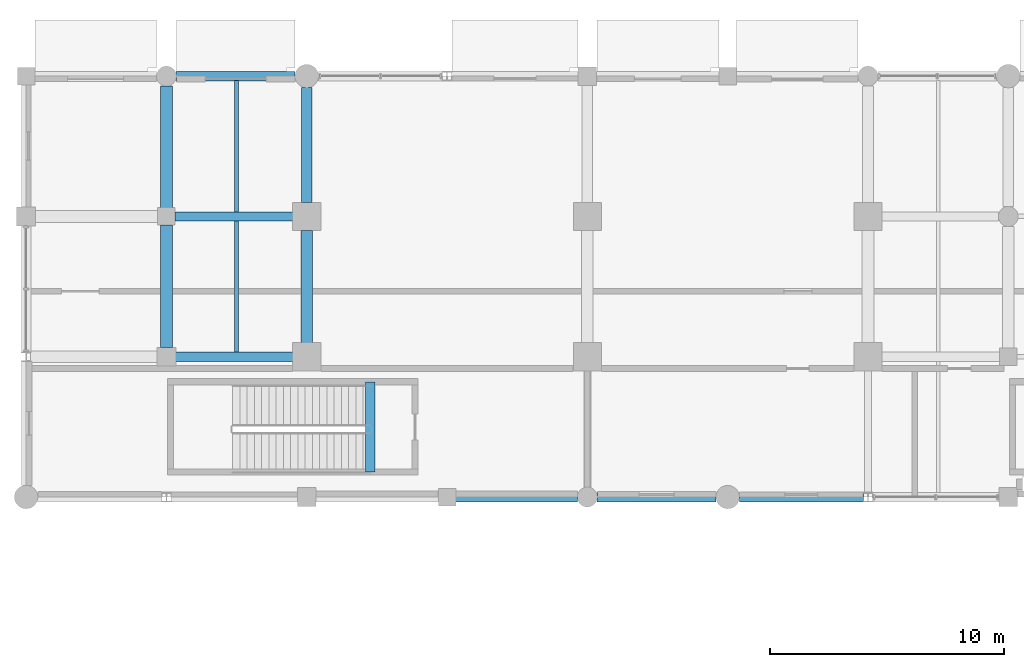
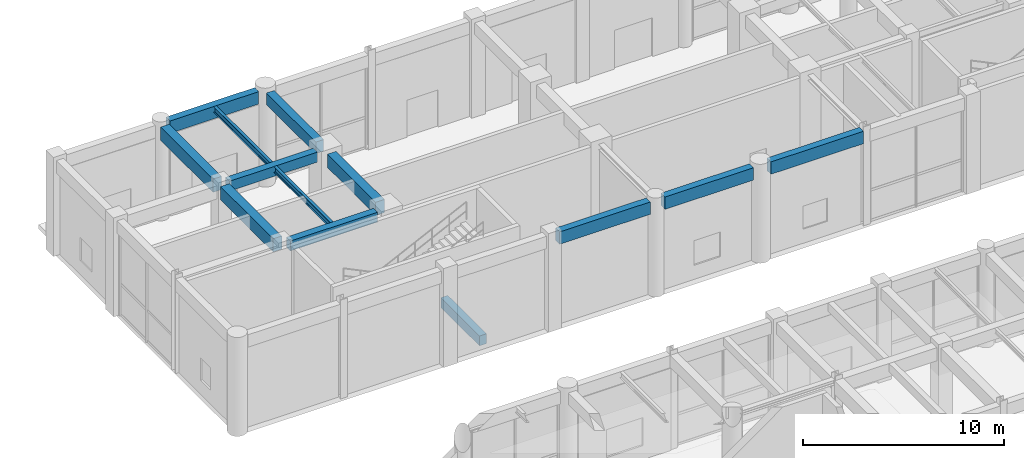
# One storey, part 42 of 106: 13 beams.
"""IFC4 building model written with IfcOpenShell, lengths in metres."""

from ifc_helpers import new_model, si_unit, direction, frame, origin, origin_2d, place, context, subcontext, project, spatial, rectangle, i_section, extrude, material, material_profile, profile_set, type_object, element, save


model = new_model("IFC4")

# Units and contexts
model_context = context("Model", 3, precision=1e-05, world=origin(), true_north=direction((0.0, 1.0)))
body_context = subcontext(model_context, "Body", "Model", "MODEL_VIEW")
ifc_project = project(units=[si_unit("LENGTHUNIT", "METRE"), si_unit("AREAUNIT", "SQUARE_METRE"), si_unit("VOLUMEUNIT", "CUBIC_METRE"), si_unit("PLANEANGLEUNIT", "RADIAN"), si_unit("MASSUNIT", "GRAM", prefix="KILO"), si_unit("THERMODYNAMICTEMPERATUREUNIT", "KELVIN"), si_unit("POWERUNIT", "WATT")], contexts=[model_context])

# Site, building, storey
site_placement = place(None, origin())
site = spatial("IfcSite", under=ifc_project, at=site_placement, CompositionType="ELEMENT")
building_placement = place(site_placement, origin())
building = spatial("IfcBuilding", under=site, at=building_placement, Name="Phaisarnlok Congress Hotel", CompositionType="ELEMENT")
storey_placement = place(building_placement, origin())
storey = spatial("IfcBuildingStorey", under=building, at=storey_placement, Name="L00", CompositionType="ELEMENT", Elevation=0.0)

# Beams
ifc_material_1 = material(Name="Concrete C40/50", Category="concrete")
ifc_material_profile_1 = material_profile(ifc_material_1, rectangle(XDim=0.39990234375, YDim=0.60009765625, at=origin_2d()), Name="RC 400x600")
ifc_profile_set_1 = profile_set([ifc_material_profile_1], Name="Concrete C40/50")
beam_type_1 = type_object("IfcBeamType", Name="BM-RC-400x600", PredefinedType="BEAM", material=ifc_profile_set_1)
beam_1_placement = place(storey_placement, frame((66.39501953125, 114.0, 5.43994140625), z_axis=(1.0, 0.0, 0.0), x_axis=(0.0, 1.0, 0.0)))
element("IfcBeam", 1, at=beam_1_placement, inside=storey, type_object=beam_type_1, Name="Beam B-02", PredefinedType="BEAM", context=body_context, shape_type="SweptSolid", body=[
    extrude(rectangle(XDim=0.39990234375, YDim=0.60009765625, at=origin_2d()), origin(), (0.0, 0.0, 1.0), 5.010009765625),
])
beam_2_placement = place(storey_placement, frame((66.3701171875, 120.0, 5.43994140625), z_axis=(1.0, 0.0, 0.0), x_axis=(0.0, 1.0, 0.0)))
element("IfcBeam", 2, at=beam_2_placement, inside=storey, type_object=beam_type_1, Name="Beam B-02", PredefinedType="BEAM", context=body_context, shape_type="SweptSolid", body=[
    extrude(rectangle(XDim=0.39990234375, YDim=0.60009765625, at=origin_2d()), origin(), (0.0, 0.0, 1.0), 5.034912109375),
])
beam_3_placement = place(storey_placement, frame((74.719970703125, 109.080078125, -0.300048828125), z_axis=(0.0, 1.0, 0.0), x_axis=(-1.0, 0.0, 0.0)))
element("IfcBeam", 3, at=beam_3_placement, inside=storey, type_object=beam_type_1, Name="Stair landing header beam B-02 (STAIR-HW L00)", PredefinedType="BEAM", context=body_context, shape_type="SweptSolid", body=[
    extrude(rectangle(XDim=0.39990234375, YDim=0.60009765625, at=origin_2d()), origin(), (0.0, 0.0, 1.0), 3.83984375),
])
ifc_material_profile_2 = material_profile(ifc_material_1, rectangle(XDim=0.449951171875, YDim=0.699951171875, at=origin_2d()), Name="RC 450x700")
ifc_profile_set_2 = profile_set([ifc_material_profile_2], Name="Concrete C40/50")
beam_type_2 = type_object("IfcBeamType", Name="BM-RC-450x700", PredefinedType="BEAM", material=ifc_profile_set_2)
beam_4_placement = place(storey_placement, frame((72.0, 120.594970703125, 5.389892578125), z_axis=(0.0, 1.0, 0.0), x_axis=(-1.0, 0.0, 0.0)))
element("IfcBeam", 4, at=beam_4_placement, inside=storey, type_object=beam_type_2, Name="Beam B-03", PredefinedType="BEAM", context=body_context, shape_type="SweptSolid", body=[
    extrude(rectangle(XDim=0.449951171875, YDim=0.699951171875, at=origin_2d()), origin(), (0.0, 0.0, 1.0), 4.909912109375),
])
ifc_material_profile_3 = material_profile(ifc_material_1, rectangle(XDim=0.5, YDim=0.800048828125, at=origin_2d()), Name="RC 500x800")
ifc_profile_set_3 = profile_set([ifc_material_profile_3], Name="Concrete C40/50")
beam_type_3 = type_object("IfcBeamType", Name="BM-RC-500x800", PredefinedType="BEAM", material=ifc_profile_set_3)
beam_5_placement = place(storey_placement, frame((66.0, 114.39501953125, 5.340087890625), z_axis=(0.0, 1.0, 0.0), x_axis=(-1.0, 0.0, 0.0)))
element("IfcBeam", 5, at=beam_5_placement, inside=storey, type_object=beam_type_3, Name="Beam B-04", PredefinedType="BEAM", context=body_context, shape_type="SweptSolid", body=[
    extrude(rectangle(XDim=0.5, YDim=0.800048828125, at=origin_2d()), origin(), (0.0, 0.0, 1.0), 5.23486328125),
])
beam_6_placement = place(storey_placement, frame((66.0, 120.3701171875, 5.340087890625), z_axis=(0.0, 1.0, 0.0), x_axis=(-1.0, 0.0, 0.0)))
element("IfcBeam", 6, at=beam_6_placement, inside=storey, type_object=beam_type_3, Name="Beam B-04", PredefinedType="BEAM", context=body_context, shape_type="SweptSolid", body=[
    extrude(rectangle(XDim=0.5, YDim=0.800048828125, at=origin_2d()), origin(), (0.0, 0.0, 1.0), 5.2099609375),
])
beam_7_placement = place(storey_placement, frame((72.0, 114.594970703125, 5.340087890625), z_axis=(0.0, 1.0, 0.0), x_axis=(-1.0, 0.0, 0.0)))
element("IfcBeam", 7, at=beam_7_placement, inside=storey, type_object=beam_type_3, Name="Beam B-04", PredefinedType="BEAM", context=body_context, shape_type="SweptSolid", body=[
    extrude(rectangle(XDim=0.5, YDim=0.800048828125, at=origin_2d()), origin(), (0.0, 0.0, 1.0), 4.81005859375),
])
ifc_material_2 = material(Name="Steel S355", Category="steel")
ifc_material_profile_4 = material_profile(ifc_material_2, i_section(OverallWidth=0.169921875, OverallDepth=0.360107421875, WebThickness=0.008056640625, FlangeThickness=0.0126953125, FilletRadius=0.01806640625, at=origin_2d()), Name="IPE 360")
ifc_profile_set_4 = profile_set([ifc_material_profile_4], Name="Steel S355")
beam_type_4 = type_object("IfcBeamType", Name="JS-STL-IPE360", PredefinedType="JOIST", material=ifc_profile_set_4)
for number, where, z_axis, x_axis, name in (
    (8, (69.0, 114.195068359375, 5.56005859375), (0.0, 1.0, 0.0), (-1.0, 0.0, 0.0), "Secondary floor joist J-04"),
    (9, (69.0, 120.195068359375, 5.56005859375), (0.0, 1.0, 0.0), (-1.0, 0.0, 0.0), "Secondary floor joist J-04"),
):
    element("IfcBeam", number, at=place(storey_placement, frame(where, z_axis=z_axis, x_axis=x_axis)), inside=storey, type_object=beam_type_4, Name=name, PredefinedType="JOIST", context=body_context, shape_type="SweptSolid", body=[
        extrude(i_section(OverallWidth=0.169921875, OverallDepth=0.360107421875, WebThickness=0.008056640625, FlangeThickness=0.0126953125, FilletRadius=0.01806640625, at=origin_2d()), origin(), (0.0, 0.0, 1.0), 5.60986328125),
    ])
ifc_material_profile_5 = material_profile(ifc_material_1, rectangle(XDim=0.39990234375, YDim=0.75, at=origin_2d()), Name="RC 400x750")
ifc_profile_set_5 = profile_set([ifc_material_profile_5], Name="Concrete C40/50")
beam_type_5 = type_object("IfcBeamType", Name="SP-RC-400x750", PredefinedType="SPANDREL", material=ifc_profile_set_5)
beam_8_placement = place(storey_placement, frame((66.419921875, 126.0, 5.364990234375), z_axis=(1.0, 0.0, 0.0), x_axis=(0.0, 1.0, 0.0)))
element("IfcBeam", 10, at=beam_8_placement, inside=storey, type_object=beam_type_5, Name="Beam SP-02", PredefinedType="SPANDREL", context=body_context, shape_type="SweptSolid", body=[
    extrude(rectangle(XDim=0.39990234375, YDim=0.75, at=origin_2d()), origin(), (0.0, 0.0, 1.0), 5.0849609375),
])
beam_9_placement = place(storey_placement, frame((78.3701171875, 108.0, 5.364990234375), z_axis=(1.0, 0.0, 0.0), x_axis=(0.0, 1.0, 0.0)))
element("IfcBeam", 11, at=beam_9_placement, inside=storey, type_object=beam_type_5, Name="Beam SP-02", PredefinedType="SPANDREL", context=body_context, shape_type="SweptSolid", body=[
    extrude(rectangle(XDim=0.39990234375, YDim=0.75, at=origin_2d()), origin(), (0.0, 0.0, 1.0), 5.2099609375),
])
beam_10_placement = place(storey_placement, frame((84.419921875, 108.0, 5.364990234375), z_axis=(1.0, 0.0, 0.0), x_axis=(0.0, 1.0, 0.0)))
element("IfcBeam", 12, at=beam_10_placement, inside=storey, type_object=beam_type_5, Name="Beam SP-02", PredefinedType="SPANDREL", context=body_context, shape_type="SweptSolid", body=[
    extrude(rectangle(XDim=0.39990234375, YDim=0.75, at=origin_2d()), origin(), (0.0, 0.0, 1.0), 5.0849609375),
])
beam_11_placement = place(storey_placement, frame((90.4951171875, 108.0, 5.364990234375), z_axis=(1.0, 0.0, 0.0), x_axis=(0.0, 1.0, 0.0)))
element("IfcBeam", 13, at=beam_11_placement, inside=storey, type_object=beam_type_5, Name="Beam SP-02", PredefinedType="SPANDREL", context=body_context, shape_type="SweptSolid", body=[
    extrude(rectangle(XDim=0.39990234375, YDim=0.75, at=origin_2d()), origin(), (0.0, 0.0, 1.0), 5.309326171875),
])

save(model, "model.ifc")
